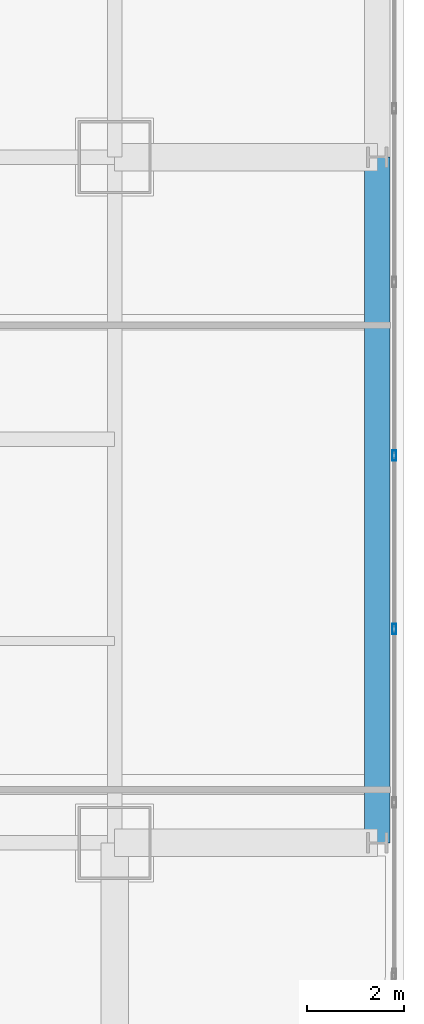
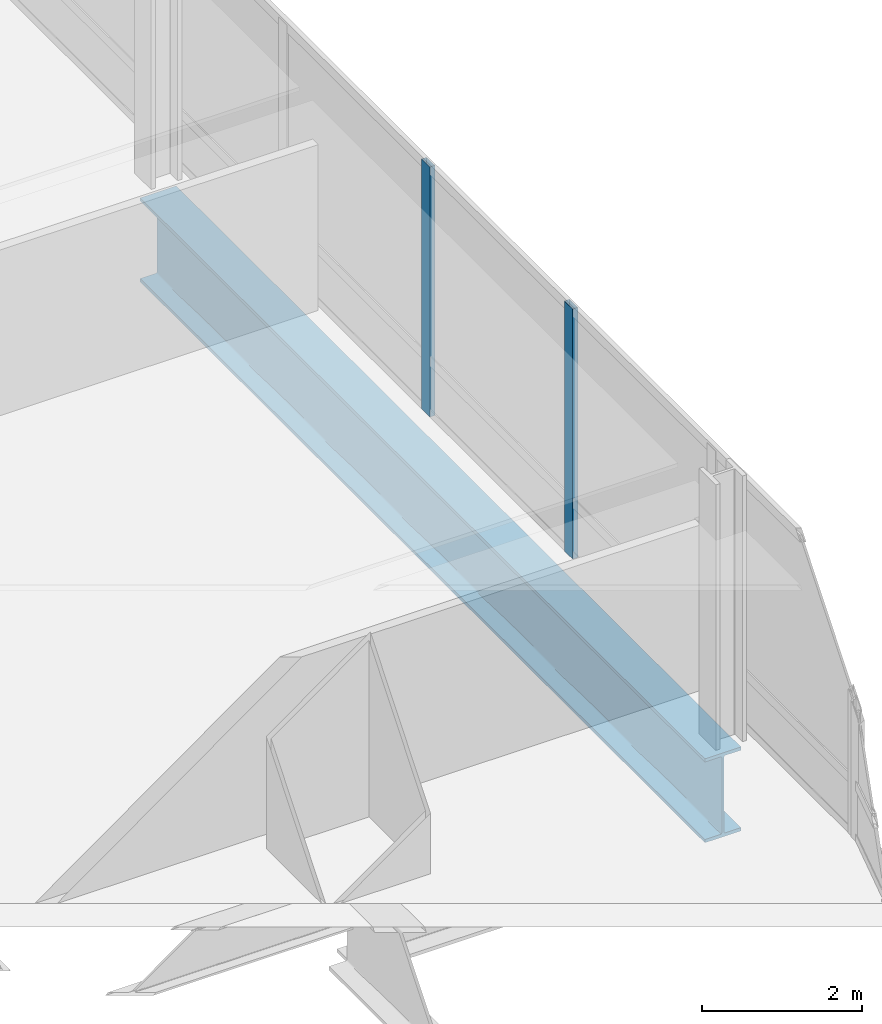
# One storey, part 14 of 35: 2 members, 1 beam, 1 element without a shape of its own.
"""IFC4 building model written with IfcOpenShell, lengths in metres."""

from ifc_helpers import new_model, si_unit, direction, frame, origin, origin_2d, place, context, subcontext, project, spatial, hollow_rectangle, i_section, extrude, material, material_profile, profile_set, type_object, element, aggregate, save


model = new_model("IFC4")

# Units and contexts
model_context = context("Model", 3, precision=1e-05, world=origin(), true_north=direction((0.0, 1.0)))
body_context = subcontext(model_context, "Body", "Model", "MODEL_VIEW")
ifc_project = project(units=[si_unit("LENGTHUNIT", "METRE"), si_unit("AREAUNIT", "SQUARE_METRE"), si_unit("VOLUMEUNIT", "CUBIC_METRE"), si_unit("PLANEANGLEUNIT", "RADIAN"), si_unit("MASSUNIT", "GRAM", prefix="KILO")], contexts=[model_context])

# Site, building, storey
site_placement = place(None, origin())
site = spatial("IfcSite", under=ifc_project, at=site_placement, CompositionType="ELEMENT")
building_placement = place(site_placement, origin())
building = spatial("IfcBuilding", under=site, at=building_placement, Name="Punatoya Terracotta Tower", CompositionType="ELEMENT")
storey_placement = place(building_placement, frame((0.0, 0.0, 72.75)))
storey = spatial("IfcBuildingStorey", under=building, at=storey_placement, Name="L16", CompositionType="ELEMENT", Elevation=72.75)

# Beam
ifc_material_1 = material(Name="Steel S460", Category="steel")
ifc_material_profile_1 = material_profile(ifc_material_1, i_section(OverallWidth=0.52001953125, OverallDepth=1.280029296875, WebThickness=0.031982421875, FlangeThickness=0.050048828125, FilletRadius=0.01806640625, at=origin_2d()))
ifc_profile_set_1 = profile_set([ifc_material_profile_1], Name="Steel S460")
beam_type = type_object("IfcBeamType", Name="BM-TG-NCK", PredefinedType="BEAM", material=ifc_profile_set_1)
beam_placement = place(storey_placement, frame((24.5, -17.5, -0.8798828125), z_axis=(0.0, 1.0, 0.0), x_axis=(-1.0, 0.0, 0.0)))
element("IfcBeam", 1, at=beam_placement, inside=storey, type_object=beam_type, Name="BM-L16-PER-E1", PredefinedType="BEAM", context=body_context, shape_type="SweptSolid", body=[
    extrude(i_section(OverallWidth=0.52001953125, OverallDepth=1.280029296875, WebThickness=0.031982421875, FlangeThickness=0.050048828125, FilletRadius=0.01806640625, at=origin_2d()), origin(), (0.0, 0.0, 1.0), 14.10009765625),
])

# Curtain wall, members
ifc_material_2 = material(Name="Aluminium 6063-T6 + Double Low-E Glass", Category="aluminium")
curtain_wall_type = type_object("IfcCurtainWallType", Name="CW-M1", PredefinedType="NOTDEFINED", material=ifc_material_2)
curtain_wall_placement = place(storey_placement, origin())
curtain_wall = element("IfcCurtainWall", 2, at=curtain_wall_placement, inside=storey, type_object=curtain_wall_type, Name="L16 Curtain Wall CW-L16-E05-1", PredefinedType="NOTDEFINED")
ifc_material_3 = material(Name="Aluminium 6063-T6", Category="aluminium")
ifc_material_profile_2 = material_profile(ifc_material_3, hollow_rectangle(XDim=0.074951171875, YDim=0.2099609375, WallThickness=0.00439453125, at=origin_2d()))
ifc_profile_set_2 = profile_set([ifc_material_profile_2], Name="Aluminium 6063-T6")
member_type = type_object("IfcMemberType", Name="CW-MUL-M1", PredefinedType="MULLION", material=ifc_profile_set_2)
member_1_placement = place(storey_placement, frame((24.85009765625, -13.10205078125, 0.0), z_axis=(0.0, 0.0, 1.0), x_axis=(1.0, 0.0, 0.0)))
member_1 = element("IfcMember", 3, at=member_1_placement, type_object=member_type, Name="CW-L16-E05-1 Mullion 02", PredefinedType="MULLION", context=body_context, shape_type="SweptSolid", body=[
    extrude(hollow_rectangle(XDim=0.074951171875, YDim=0.2099609375, WallThickness=0.00439453125, at=origin_2d()), origin(), (0.0, 0.0, 1.0), 3.81005859375),
])
member_2_placement = place(storey_placement, frame((24.85009765625, -9.534912109375, 0.0), z_axis=(0.0, 0.0, 1.0), x_axis=(1.0, 0.0, 0.0)))
member_2 = element("IfcMember", 4, at=member_2_placement, type_object=member_type, Name="CW-L16-E05-1 Mullion 03", PredefinedType="MULLION", context=body_context, shape_type="SweptSolid", body=[
    extrude(hollow_rectangle(XDim=0.074951171875, YDim=0.2099609375, WallThickness=0.00439453125, at=origin_2d()), origin(), (0.0, 0.0, 1.0), 3.81005859375),
])
aggregate(curtain_wall, [member_1, member_2])

save(model, "model.ifc")
